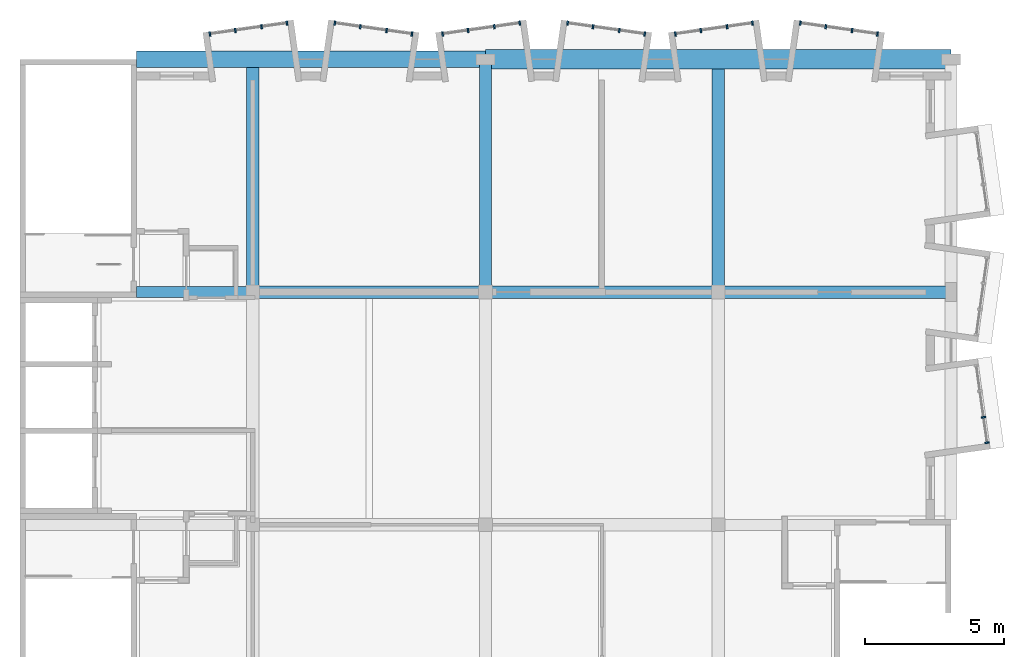
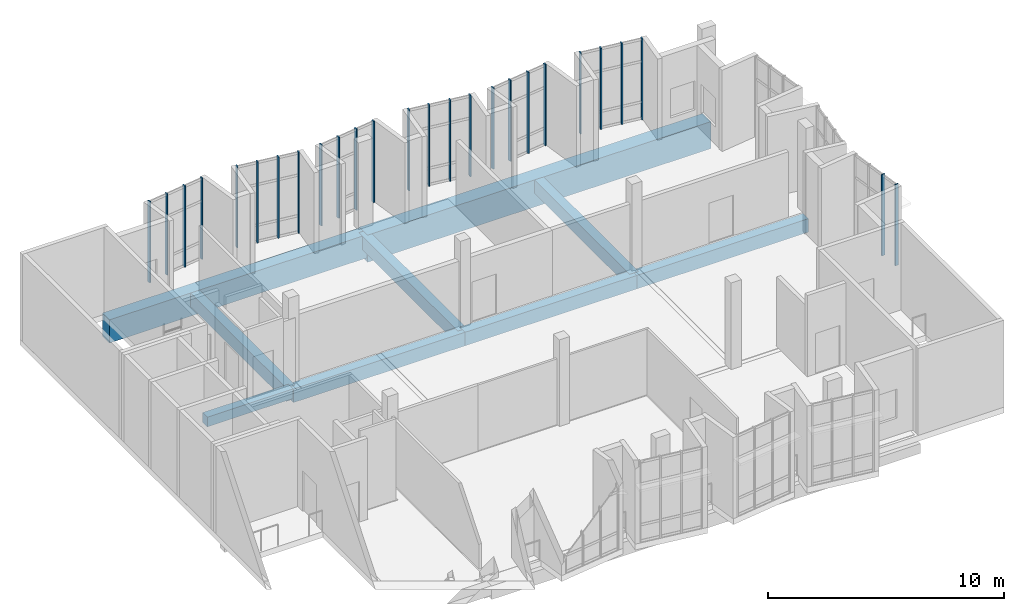
# One storey, part 3 of 15: 26 members, 9 beams, 7 elements without a shape of their own.
"""IFC4 building model written with IfcOpenShell, lengths in metres."""

from ifc_helpers import new_model, si_unit, direction, frame, origin, origin_2d, place, context, subcontext, project, spatial, rectangle, extrude, material, layer, layer_set, material_profile, profile_set, type_object, element, aggregate, save


model = new_model("IFC4")

# Units and contexts
model_context = context("Model", 3, precision=1e-05, world=origin(), true_north=direction((0.0, 1.0)))
body_context = subcontext(model_context, "Body", "Model", "MODEL_VIEW")
ifc_project = project(units=[si_unit("LENGTHUNIT", "METRE"), si_unit("AREAUNIT", "SQUARE_METRE"), si_unit("VOLUMEUNIT", "CUBIC_METRE"), si_unit("PLANEANGLEUNIT", "RADIAN"), si_unit("MASSUNIT", "GRAM", prefix="KILO")], contexts=[model_context])

# Site, building, storey
site_placement = place(None, origin())
site = spatial("IfcSite", under=ifc_project, at=site_placement, CompositionType="ELEMENT")
building_placement = place(site_placement, origin())
building = spatial("IfcBuilding", under=site, at=building_placement, Name="Kiln Court Media Centre", CompositionType="ELEMENT")
storey_placement = place(building_placement, frame((0.0, 0.0, 38.10009765625)))
storey = spatial("IfcBuildingStorey", under=building, at=storey_placement, Name="L08", CompositionType="ELEMENT", Elevation=38.10009765625)

# Curtain wall, members
ifc_material_1 = material(Name="Aluminium 6063-T6", Category="aluminium")
ifc_layer = layer(ifc_material_1, 0.1201171875)
ifc_layer_set = layer_set([ifc_layer], Name="Aluminium unitised bay curtain wall")
curtain_wall_type = type_object("IfcCurtainWallType", Name="Aluminium unitised bay curtain wall", PredefinedType="USERDEFINED", material=ifc_layer_set)
curtain_wall_1_placement = place(storey_placement, origin())
curtain_wall_1 = element("IfcCurtainWall", 1, at=curtain_wall_1_placement, inside=storey, type_object=curtain_wall_type, Name="BAY V6A-E-L08-20 front", ObjectType="UNITISED CURTAIN WALL", PredefinedType="USERDEFINED")
ifc_material_2 = material(Name="Aluminium 6063-T6", Category="aluminium")
ifc_material_profile_1 = material_profile(ifc_material_2, rectangle(XDim=0.06005859375, YDim=0.159912109375, at=origin_2d()), Name="Aluminium mullion 60x160")
ifc_profile_set_1 = profile_set([ifc_material_profile_1], Name="Aluminium 6063-T6")
member_type = type_object("IfcMemberType", Name="Aluminium mullion 60x160", PredefinedType="MULLION", material=ifc_profile_set_1)
member_1_placement = place(storey_placement, frame((34.904541015625, 11.364501953125, 0.0), z_axis=(0.0, 0.0, 1.0), x_axis=(-0.139162472554, 0.990269562409, 0.0)))
member_1 = element("IfcMember", 2, at=member_1_placement, type_object=member_type, Name="CW8-01 mullion 1", PredefinedType="MULLION", context=body_context, shape_type="SweptSolid", body=[
    extrude(rectangle(XDim=0.06005859375, YDim=0.159912109375, at=origin_2d()), origin(), (0.0, 0.0, 1.0), 4.199951171875),
])
member_2_placement = place(storey_placement, frame((34.775634765625, 12.2822265625, 0.0), z_axis=(0.0, 0.0, 1.0), x_axis=(-0.139162472554, 0.990269562409, 0.0)))
member_2 = element("IfcMember", 3, at=member_2_placement, type_object=member_type, Name="CW8-01 mullion 2", PredefinedType="MULLION", context=body_context, shape_type="SweptSolid", body=[
    extrude(rectangle(XDim=0.06005859375, YDim=0.159912109375, at=origin_2d()), origin(), (0.0, 0.0, 1.0), 4.199951171875),
])
aggregate(curtain_wall_1, [member_1, member_2])

curtain_wall_2_placement = place(storey_placement, origin())
curtain_wall_2 = element("IfcCurtainWall", 4, at=curtain_wall_2_placement, inside=storey, type_object=curtain_wall_type, Name="BAY V6A-N-L08-53 front", ObjectType="UNITISED CURTAIN WALL", PredefinedType="USERDEFINED")
member_3_placement = place(storey_placement, frame((6.852783203125, 26.113525390625, 0.0), z_axis=(0.0, 0.0, 1.0), x_axis=(0.990269562409, 0.139162472554, 0.0)))
member_3 = element("IfcMember", 5, at=member_3_placement, type_object=member_type, Name="CW8-04 mullion 1", PredefinedType="MULLION", context=body_context, shape_type="SweptSolid", body=[
    extrude(rectangle(XDim=0.06005859375, YDim=0.159912109375, at=origin_2d()), origin(), (0.0, 0.0, 1.0), 4.199951171875),
])
member_4_placement = place(storey_placement, frame((7.7705078125, 26.242431640625, 0.0), z_axis=(0.0, 0.0, 1.0), x_axis=(0.990269562409, 0.139162472554, 0.0)))
member_4 = element("IfcMember", 6, at=member_4_placement, type_object=member_type, Name="CW8-04 mullion 2", PredefinedType="MULLION", context=body_context, shape_type="SweptSolid", body=[
    extrude(rectangle(XDim=0.06005859375, YDim=0.159912109375, at=origin_2d()), origin(), (0.0, 0.0, 1.0), 4.199951171875),
])
member_5_placement = place(storey_placement, frame((8.7177734375, 26.375732421875, 0.0), z_axis=(0.0, 0.0, 1.0), x_axis=(0.990269562409, 0.139162472554, 0.0)))
member_5 = element("IfcMember", 7, at=member_5_placement, type_object=member_type, Name="CW8-04 mullion 3", PredefinedType="MULLION", context=body_context, shape_type="SweptSolid", body=[
    extrude(rectangle(XDim=0.06005859375, YDim=0.159912109375, at=origin_2d()), origin(), (0.0, 0.0, 1.0), 4.199951171875),
])
member_6_placement = place(storey_placement, frame((9.635498046875, 26.504638671875, 0.0), z_axis=(0.0, 0.0, 1.0), x_axis=(0.990269562409, 0.139162472554, 0.0)))
member_6 = element("IfcMember", 8, at=member_6_placement, type_object=member_type, Name="CW8-04 mullion 4", PredefinedType="MULLION", context=body_context, shape_type="SweptSolid", body=[
    extrude(rectangle(XDim=0.06005859375, YDim=0.159912109375, at=origin_2d()), origin(), (0.0, 0.0, 1.0), 4.199951171875),
])
aggregate(curtain_wall_2, [member_3, member_4, member_5, member_6])

curtain_wall_3_placement = place(storey_placement, origin())
curtain_wall_3 = element("IfcCurtainWall", 9, at=curtain_wall_3_placement, inside=storey, type_object=curtain_wall_type, Name="BAY V6A-N-L08-54 front", ObjectType="UNITISED CURTAIN WALL", PredefinedType="USERDEFINED")
member_7_placement = place(storey_placement, frame((11.364501953125, 26.504638671875, 0.0), z_axis=(0.0, 0.0, 1.0), x_axis=(0.990269562409, -0.139162472554, 0.0)))
member_7 = element("IfcMember", 10, at=member_7_placement, type_object=member_type, Name="CW8-05 mullion 1", PredefinedType="MULLION", context=body_context, shape_type="SweptSolid", body=[
    extrude(rectangle(XDim=0.06005859375, YDim=0.159912109375, at=origin_2d()), origin(), (0.0, 0.0, 1.0), 4.199951171875),
])
member_8_placement = place(storey_placement, frame((12.2822265625, 26.375732421875, 0.0), z_axis=(0.0, 0.0, 1.0), x_axis=(0.990269562409, -0.139162472554, 0.0)))
member_8 = element("IfcMember", 11, at=member_8_placement, type_object=member_type, Name="CW8-05 mullion 2", PredefinedType="MULLION", context=body_context, shape_type="SweptSolid", body=[
    extrude(rectangle(XDim=0.06005859375, YDim=0.159912109375, at=origin_2d()), origin(), (0.0, 0.0, 1.0), 4.199951171875),
])
member_9_placement = place(storey_placement, frame((13.2294921875, 26.242431640625, 0.0), z_axis=(0.0, 0.0, 1.0), x_axis=(0.990269562409, -0.139162472554, 0.0)))
member_9 = element("IfcMember", 12, at=member_9_placement, type_object=member_type, Name="CW8-05 mullion 3", PredefinedType="MULLION", context=body_context, shape_type="SweptSolid", body=[
    extrude(rectangle(XDim=0.06005859375, YDim=0.159912109375, at=origin_2d()), origin(), (0.0, 0.0, 1.0), 4.199951171875),
])
member_10_placement = place(storey_placement, frame((14.147216796875, 26.113525390625, 0.0), z_axis=(0.0, 0.0, 1.0), x_axis=(0.990269562409, -0.139162472554, 0.0)))
member_10 = element("IfcMember", 13, at=member_10_placement, type_object=member_type, Name="CW8-05 mullion 4", PredefinedType="MULLION", context=body_context, shape_type="SweptSolid", body=[
    extrude(rectangle(XDim=0.06005859375, YDim=0.159912109375, at=origin_2d()), origin(), (0.0, 0.0, 1.0), 4.199951171875),
])
aggregate(curtain_wall_3, [member_7, member_8, member_9, member_10])

curtain_wall_4_placement = place(storey_placement, origin())
curtain_wall_4 = element("IfcCurtainWall", 14, at=curtain_wall_4_placement, inside=storey, type_object=curtain_wall_type, Name="BAY V6A-N-L08-55 front", ObjectType="UNITISED CURTAIN WALL", PredefinedType="USERDEFINED")
member_11_placement = place(storey_placement, frame((15.2529296875, 26.113525390625, 0.0), z_axis=(0.0, 0.0, 1.0), x_axis=(0.990269562409, 0.139162472554, 0.0)))
member_11 = element("IfcMember", 15, at=member_11_placement, type_object=member_type, Name="CW8-06 mullion 1", PredefinedType="MULLION", context=body_context, shape_type="SweptSolid", body=[
    extrude(rectangle(XDim=0.06005859375, YDim=0.159912109375, at=origin_2d()), origin(), (0.0, 0.0, 1.0), 4.199951171875),
])
member_12_placement = place(storey_placement, frame((16.17041015625, 26.242431640625, 0.0), z_axis=(0.0, 0.0, 1.0), x_axis=(0.990269562409, 0.139162472554, 0.0)))
member_12 = element("IfcMember", 16, at=member_12_placement, type_object=member_type, Name="CW8-06 mullion 2", PredefinedType="MULLION", context=body_context, shape_type="SweptSolid", body=[
    extrude(rectangle(XDim=0.06005859375, YDim=0.159912109375, at=origin_2d()), origin(), (0.0, 0.0, 1.0), 4.199951171875),
])
member_13_placement = place(storey_placement, frame((17.117919921875, 26.375732421875, 0.0), z_axis=(0.0, 0.0, 1.0), x_axis=(0.990269562409, 0.139162472554, 0.0)))
member_13 = element("IfcMember", 17, at=member_13_placement, type_object=member_type, Name="CW8-06 mullion 3", PredefinedType="MULLION", context=body_context, shape_type="SweptSolid", body=[
    extrude(rectangle(XDim=0.06005859375, YDim=0.159912109375, at=origin_2d()), origin(), (0.0, 0.0, 1.0), 4.199951171875),
])
member_14_placement = place(storey_placement, frame((18.035400390625, 26.504638671875, 0.0), z_axis=(0.0, 0.0, 1.0), x_axis=(0.990269562409, 0.139162472554, 0.0)))
member_14 = element("IfcMember", 18, at=member_14_placement, type_object=member_type, Name="CW8-06 mullion 4", PredefinedType="MULLION", context=body_context, shape_type="SweptSolid", body=[
    extrude(rectangle(XDim=0.06005859375, YDim=0.159912109375, at=origin_2d()), origin(), (0.0, 0.0, 1.0), 4.199951171875),
])
aggregate(curtain_wall_4, [member_11, member_12, member_13, member_14])

curtain_wall_5_placement = place(storey_placement, origin())
curtain_wall_5 = element("IfcCurtainWall", 19, at=curtain_wall_5_placement, inside=storey, type_object=curtain_wall_type, Name="BAY V6A-N-L08-56 front", ObjectType="UNITISED CURTAIN WALL", PredefinedType="USERDEFINED")
member_15_placement = place(storey_placement, frame((19.764404296875, 26.504638671875, 0.0), z_axis=(0.0, 0.0, 1.0), x_axis=(0.990269562409, -0.139162472554, 0.0)))
member_15 = element("IfcMember", 20, at=member_15_placement, type_object=member_type, Name="CW8-07 mullion 1", PredefinedType="MULLION", context=body_context, shape_type="SweptSolid", body=[
    extrude(rectangle(XDim=0.06005859375, YDim=0.159912109375, at=origin_2d()), origin(), (0.0, 0.0, 1.0), 4.199951171875),
])
member_16_placement = place(storey_placement, frame((20.68212890625, 26.375732421875, 0.0), z_axis=(0.0, 0.0, 1.0), x_axis=(0.990269562409, -0.139162472554, 0.0)))
member_16 = element("IfcMember", 21, at=member_16_placement, type_object=member_type, Name="CW8-07 mullion 2", PredefinedType="MULLION", context=body_context, shape_type="SweptSolid", body=[
    extrude(rectangle(XDim=0.06005859375, YDim=0.159912109375, at=origin_2d()), origin(), (0.0, 0.0, 1.0), 4.199951171875),
])
member_17_placement = place(storey_placement, frame((21.629638671875, 26.242431640625, 0.0), z_axis=(0.0, 0.0, 1.0), x_axis=(0.990269562409, -0.139162472554, 0.0)))
member_17 = element("IfcMember", 22, at=member_17_placement, type_object=member_type, Name="CW8-07 mullion 3", PredefinedType="MULLION", context=body_context, shape_type="SweptSolid", body=[
    extrude(rectangle(XDim=0.06005859375, YDim=0.159912109375, at=origin_2d()), origin(), (0.0, 0.0, 1.0), 4.199951171875),
])
member_18_placement = place(storey_placement, frame((22.547119140625, 26.113525390625, 0.0), z_axis=(0.0, 0.0, 1.0), x_axis=(0.990269562409, -0.139162472554, 0.0)))
member_18 = element("IfcMember", 23, at=member_18_placement, type_object=member_type, Name="CW8-07 mullion 4", PredefinedType="MULLION", context=body_context, shape_type="SweptSolid", body=[
    extrude(rectangle(XDim=0.06005859375, YDim=0.159912109375, at=origin_2d()), origin(), (0.0, 0.0, 1.0), 4.199951171875),
])
aggregate(curtain_wall_5, [member_15, member_16, member_17, member_18])

curtain_wall_6_placement = place(storey_placement, origin())
curtain_wall_6 = element("IfcCurtainWall", 24, at=curtain_wall_6_placement, inside=storey, type_object=curtain_wall_type, Name="BAY V6A-N-L08-57 front", ObjectType="UNITISED CURTAIN WALL", PredefinedType="USERDEFINED")
member_19_placement = place(storey_placement, frame((23.65283203125, 26.113525390625, 0.0), z_axis=(0.0, 0.0, 1.0), x_axis=(0.990269562409, 0.139162472554, 0.0)))
member_19 = element("IfcMember", 25, at=member_19_placement, type_object=member_type, Name="CW8-08 mullion 1", PredefinedType="MULLION", context=body_context, shape_type="SweptSolid", body=[
    extrude(rectangle(XDim=0.06005859375, YDim=0.159912109375, at=origin_2d()), origin(), (0.0, 0.0, 1.0), 4.199951171875),
])
member_20_placement = place(storey_placement, frame((24.570556640625, 26.242431640625, 0.0), z_axis=(0.0, 0.0, 1.0), x_axis=(0.990269562409, 0.139162472554, 0.0)))
member_20 = element("IfcMember", 26, at=member_20_placement, type_object=member_type, Name="CW8-08 mullion 2", PredefinedType="MULLION", context=body_context, shape_type="SweptSolid", body=[
    extrude(rectangle(XDim=0.06005859375, YDim=0.159912109375, at=origin_2d()), origin(), (0.0, 0.0, 1.0), 4.199951171875),
])
member_21_placement = place(storey_placement, frame((25.517822265625, 26.375732421875, 0.0), z_axis=(0.0, 0.0, 1.0), x_axis=(0.990269562409, 0.139162472554, 0.0)))
member_21 = element("IfcMember", 27, at=member_21_placement, type_object=member_type, Name="CW8-08 mullion 3", PredefinedType="MULLION", context=body_context, shape_type="SweptSolid", body=[
    extrude(rectangle(XDim=0.06005859375, YDim=0.159912109375, at=origin_2d()), origin(), (0.0, 0.0, 1.0), 4.199951171875),
])
member_22_placement = place(storey_placement, frame((26.435546875, 26.504638671875, 0.0), z_axis=(0.0, 0.0, 1.0), x_axis=(0.990269562409, 0.139162472554, 0.0)))
member_22 = element("IfcMember", 28, at=member_22_placement, type_object=member_type, Name="CW8-08 mullion 4", PredefinedType="MULLION", context=body_context, shape_type="SweptSolid", body=[
    extrude(rectangle(XDim=0.06005859375, YDim=0.159912109375, at=origin_2d()), origin(), (0.0, 0.0, 1.0), 4.199951171875),
])
aggregate(curtain_wall_6, [member_19, member_20, member_21, member_22])

curtain_wall_7_placement = place(storey_placement, origin())
curtain_wall_7 = element("IfcCurtainWall", 29, at=curtain_wall_7_placement, inside=storey, type_object=curtain_wall_type, Name="BAY V6A-N-L08-58 front", ObjectType="UNITISED CURTAIN WALL", PredefinedType="USERDEFINED")
member_23_placement = place(storey_placement, frame((28.16455078125, 26.504638671875, 0.0), z_axis=(0.0, 0.0, 1.0), x_axis=(0.990269562409, -0.139162472554, 0.0)))
member_23 = element("IfcMember", 30, at=member_23_placement, type_object=member_type, Name="CW8-09 mullion 1", PredefinedType="MULLION", context=body_context, shape_type="SweptSolid", body=[
    extrude(rectangle(XDim=0.06005859375, YDim=0.159912109375, at=origin_2d()), origin(), (0.0, 0.0, 1.0), 4.199951171875),
])
member_24_placement = place(storey_placement, frame((29.082275390625, 26.375732421875, 0.0), z_axis=(0.0, 0.0, 1.0), x_axis=(0.990269562409, -0.139162472554, 0.0)))
member_24 = element("IfcMember", 31, at=member_24_placement, type_object=member_type, Name="CW8-09 mullion 2", PredefinedType="MULLION", context=body_context, shape_type="SweptSolid", body=[
    extrude(rectangle(XDim=0.06005859375, YDim=0.159912109375, at=origin_2d()), origin(), (0.0, 0.0, 1.0), 4.199951171875),
])
member_25_placement = place(storey_placement, frame((30.029541015625, 26.242431640625, 0.0), z_axis=(0.0, 0.0, 1.0), x_axis=(0.990269562409, -0.139162472554, 0.0)))
member_25 = element("IfcMember", 32, at=member_25_placement, type_object=member_type, Name="CW8-09 mullion 3", PredefinedType="MULLION", context=body_context, shape_type="SweptSolid", body=[
    extrude(rectangle(XDim=0.06005859375, YDim=0.159912109375, at=origin_2d()), origin(), (0.0, 0.0, 1.0), 4.199951171875),
])
member_26_placement = place(storey_placement, frame((30.947265625, 26.113525390625, 0.0), z_axis=(0.0, 0.0, 1.0), x_axis=(0.990269562409, -0.139162472554, 0.0)))
member_26 = element("IfcMember", 33, at=member_26_placement, type_object=member_type, Name="CW8-09 mullion 4", PredefinedType="MULLION", context=body_context, shape_type="SweptSolid", body=[
    extrude(rectangle(XDim=0.06005859375, YDim=0.159912109375, at=origin_2d()), origin(), (0.0, 0.0, 1.0), 4.199951171875),
])
aggregate(curtain_wall_7, [member_23, member_24, member_25, member_26])

# Beams
ifc_material_3 = material(Name="Concrete C30/37", Category="concrete")
ifc_material_profile_2 = material_profile(ifc_material_3, rectangle(XDim=0.39990234375, YDim=0.5, at=origin_2d()), Name="RC 400x500")
ifc_profile_set_2 = profile_set([ifc_material_profile_2], Name="Concrete C30/37")
beam_type_1 = type_object("IfcBeamType", Name="Concrete C30/37 beam 400x500", PredefinedType="BEAM", material=ifc_profile_set_2)
beam_1_placement = place(storey_placement, frame((4.199951171875, 16.800048828125, -0.550048828125), z_axis=(1.0, 0.0, 0.0), x_axis=(0.0, 1.0, 0.0)))
element("IfcBeam", 34, at=beam_1_placement, inside=storey, type_object=beam_type_1, Name="L08-B-1020", PredefinedType="BEAM", context=body_context, shape_type="SweptSolid", body=[
    extrude(rectangle(XDim=0.39990234375, YDim=0.5, at=origin_2d()), origin(), (0.0, 0.0, 1.0), 4.199951171875),
])
ifc_material_4 = material(Name="Concrete C30/37", Category="concrete")
ifc_material_profile_3 = material_profile(ifc_material_4, rectangle(XDim=0.449951171875, YDim=0.699951171875, at=origin_2d()), Name="RC 450x700")
ifc_profile_set_3 = profile_set([ifc_material_profile_3], Name="Concrete C30/37")
beam_type_2 = type_object("IfcBeamType", Name="Concrete C30/37 beam 450x700", PredefinedType="BEAM", material=ifc_profile_set_3)
beam_2_placement = place(storey_placement, frame((8.39990234375, 16.800048828125, -0.650146484375), z_axis=(0.0, 1.0, 0.0), x_axis=(-1.0, 0.0, 0.0)))
element("IfcBeam", 35, at=beam_2_placement, inside=storey, type_object=beam_type_2, Name="L08-B-1002", PredefinedType="BEAM", context=body_context, shape_type="SweptSolid", body=[
    extrude(rectangle(XDim=0.449951171875, YDim=0.699951171875, at=origin_2d()), origin(), (0.0, 0.0, 1.0), 8.099853515625),
])
beam_3_placement = place(storey_placement, frame((16.800048828125, 16.800048828125, -0.650146484375), z_axis=(0.0, 1.0, 0.0), x_axis=(-1.0, 0.0, 0.0)))
element("IfcBeam", 36, at=beam_3_placement, inside=storey, type_object=beam_type_2, Name="L08-B-1005", PredefinedType="BEAM", context=body_context, shape_type="SweptSolid", body=[
    extrude(rectangle(XDim=0.449951171875, YDim=0.699951171875, at=origin_2d()), origin(), (0.0, 0.0, 1.0), 8.39990234375),
])
beam_4_placement = place(storey_placement, frame((25.199951171875, 16.800048828125, -0.650146484375), z_axis=(0.0, 1.0, 0.0), x_axis=(-1.0, 0.0, 0.0)))
element("IfcBeam", 37, at=beam_4_placement, inside=storey, type_object=beam_type_2, Name="L08-B-1008", PredefinedType="BEAM", context=body_context, shape_type="SweptSolid", body=[
    extrude(rectangle(XDim=0.449951171875, YDim=0.699951171875, at=origin_2d()), origin(), (0.0, 0.0, 1.0), 8.050048828125),
])
beam_5_placement = place(storey_placement, frame((8.39990234375, 16.800048828125, -0.650146484375), z_axis=(1.0, 0.0, 0.0), x_axis=(0.0, 1.0, 0.0)))
element("IfcBeam", 38, at=beam_5_placement, inside=storey, type_object=beam_type_2, Name="L08-B-1021", PredefinedType="BEAM", context=body_context, shape_type="SweptSolid", body=[
    extrude(rectangle(XDim=0.449951171875, YDim=0.699951171875, at=origin_2d()), origin(), (0.0, 0.0, 1.0), 8.400146484375),
])
beam_6_placement = place(storey_placement, frame((16.800048828125, 16.800048828125, -0.650146484375), z_axis=(1.0, 0.0, 0.0), x_axis=(0.0, 1.0, 0.0)))
element("IfcBeam", 39, at=beam_6_placement, inside=storey, type_object=beam_type_2, Name="L08-B-1022", PredefinedType="BEAM", context=body_context, shape_type="SweptSolid", body=[
    extrude(rectangle(XDim=0.449951171875, YDim=0.699951171875, at=origin_2d()), origin(), (0.0, 0.0, 1.0), 8.39990234375),
])
beam_7_placement = place(storey_placement, frame((25.199951171875, 16.800048828125, -0.650146484375), z_axis=(1.0, 0.0, 0.0), x_axis=(0.0, 1.0, 0.0)))
element("IfcBeam", 40, at=beam_7_placement, inside=storey, type_object=beam_type_2, Name="L08-B-1023", PredefinedType="BEAM", context=body_context, shape_type="SweptSolid", body=[
    extrude(rectangle(XDim=0.449951171875, YDim=0.699951171875, at=origin_2d()), origin(), (0.0, 0.0, 1.0), 8.400146484375),
])
ifc_material_5 = material(Name="Concrete C30/37", Category="concrete")
ifc_material_profile_4 = material_profile(ifc_material_5, rectangle(XDim=0.60009765625, YDim=1.199951171875, at=origin_2d()), Name="RC 600x1200")
ifc_profile_set_4 = profile_set([ifc_material_profile_4], Name="Concrete C30/37")
beam_type_3 = type_object("IfcBeamType", Name="Concrete C30/37 beam 600x1200", PredefinedType="BEAM", material=ifc_profile_set_4)
beam_8_placement = place(storey_placement, frame((4.199951171875, 25.199951171875, -0.900146484375), z_axis=(1.0, 0.0, 0.0), x_axis=(0.0, 1.0, 0.0)))
element("IfcBeam", 41, at=beam_8_placement, inside=storey, type_object=beam_type_3, Name="L08-B-1024", PredefinedType="BEAM", context=body_context, shape_type="SweptSolid", body=[
    extrude(rectangle(XDim=0.60009765625, YDim=1.199951171875, at=origin_2d()), origin(), (0.0, 0.0, 1.0), 12.60009765625),
])
ifc_material_6 = material(Name="Concrete C30/37", Category="concrete")
ifc_material_profile_5 = material_profile(ifc_material_6, rectangle(XDim=0.699951171875, YDim=1.39990234375, at=origin_2d()), Name="RC 700x1400")
ifc_profile_set_5 = profile_set([ifc_material_profile_5], Name="Concrete C30/37")
beam_type_4 = type_object("IfcBeamType", Name="Concrete C30/37 beam 700x1400", PredefinedType="BEAM", material=ifc_profile_set_5)
beam_9_placement = place(storey_placement, frame((16.800048828125, 25.199951171875, -1.0), z_axis=(1.0, 0.0, 0.0), x_axis=(0.0, 1.0, 0.0)))
element("IfcBeam", 42, at=beam_9_placement, inside=storey, type_object=beam_type_4, Name="L08-B-1025", PredefinedType="BEAM", context=body_context, shape_type="SweptSolid", body=[
    extrude(rectangle(XDim=0.699951171875, YDim=1.39990234375, at=origin_2d()), origin(), (0.0, 0.0, 1.0), 16.800048828125),
])

save(model, "model.ifc")
